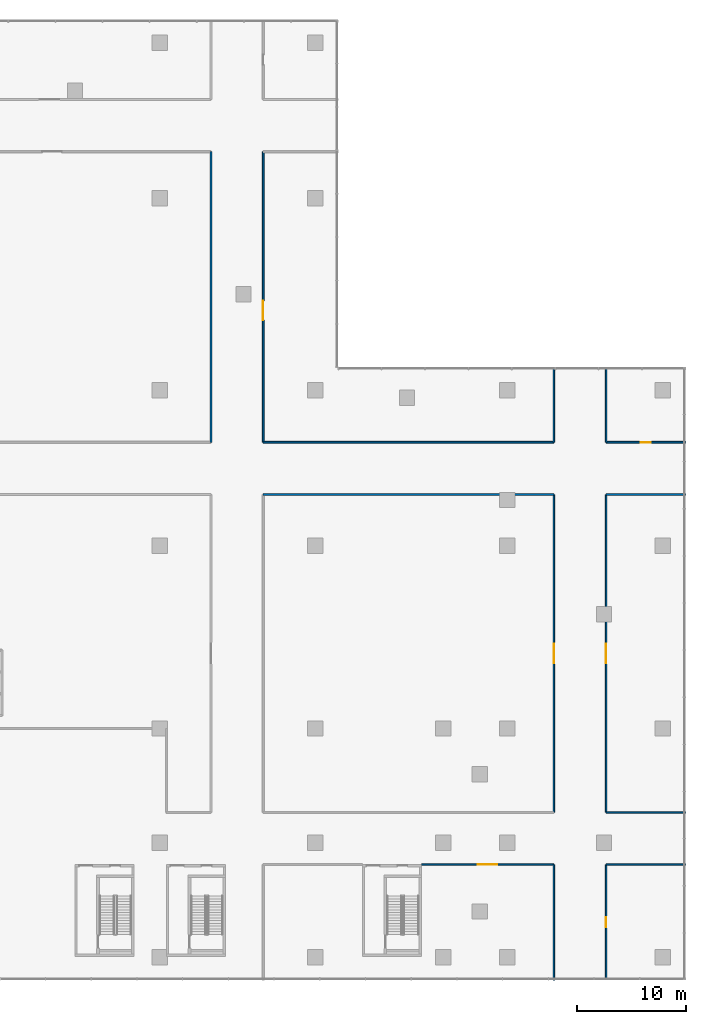
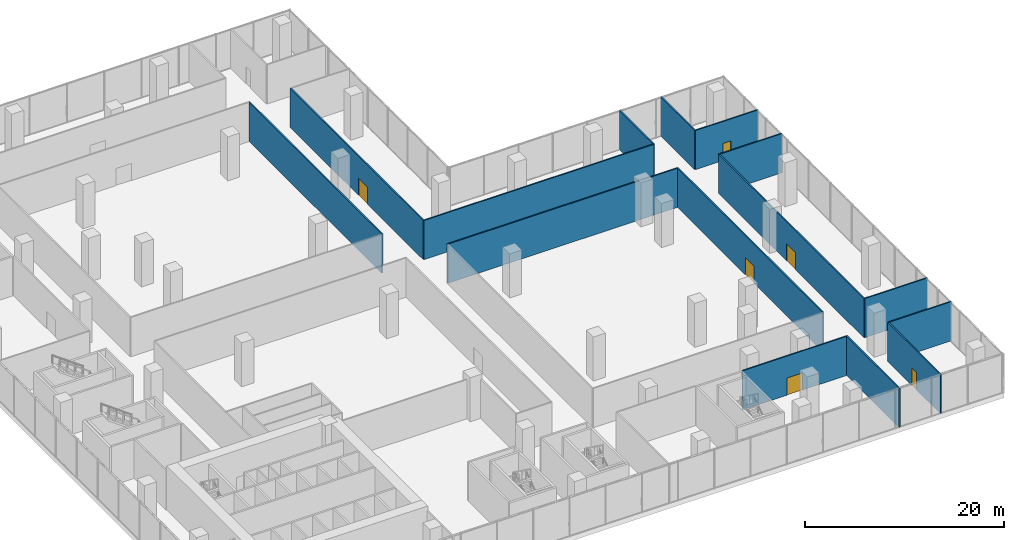
# One storey, part 16 of 22: 15 walls, 6 doors, 6 openings.
"""IFC4 building model written with IfcOpenShell, lengths in metres."""

from ifc_helpers import new_model, si_unit, direction, frame, frame_2d, origin, place, context, subcontext, project, spatial, rectangle, extrude, source, transform, mapped, material, layer, layer_set, type_object, element, fill, save


model = new_model("IFC4")

# Units and contexts
model_context = context("Model", 3, precision=1e-05, world=origin(), true_north=direction((0.0, 1.0)))
body_context = subcontext(model_context, "Body", "Model", "MODEL_VIEW")
ifc_project = project(units=[si_unit("LENGTHUNIT", "METRE"), si_unit("AREAUNIT", "SQUARE_METRE"), si_unit("VOLUMEUNIT", "CUBIC_METRE"), si_unit("PLANEANGLEUNIT", "RADIAN"), si_unit("MASSUNIT", "GRAM", prefix="KILO")], contexts=[model_context])

# Site, building, storey
site_placement = place(None, origin())
site = spatial("IfcSite", under=ifc_project, at=site_placement, CompositionType="ELEMENT")
building_placement = place(site_placement, origin())
building = spatial("IfcBuilding", under=site, at=building_placement, Name="Aurelian Terraces", CompositionType="ELEMENT")
storey_placement = place(building_placement, frame((0.0, 0.0, 7.5)))
storey = spatial("IfcBuildingStorey", under=building, at=storey_placement, Name="L01", CompositionType="ELEMENT", Elevation=7.5)

# Wall, opening, door
ifc_material_1 = material(Name="Gypsum board on steel studs", Category="steel")
ifc_layer = layer(ifc_material_1, 0.15)
ifc_layer_set = layer_set([ifc_layer], Name="Special partition 150")
wall_type = type_object("IfcWallType", Name="Special partition 150", PredefinedType="PARTITIONING", material=ifc_layer_set)
wall_1_placement = place(storey_placement, frame((61.85, 8.5, 0.0), z_axis=(0.0, 0.0, 1.0), x_axis=(1.0, 0.0, 0.0)))
wall_1 = element("IfcWall", 1, at=wall_1_placement, inside=storey, type_object=wall_type, Name="L01 partition W03", PredefinedType="PARTITIONING", context=body_context, shape_type="SweptSolid", body=[
    extrude(rectangle(XDim=12.15, YDim=0.15, at=frame_2d((6.075, 0.0))), origin(), (0.0, 0.0, 1.0), 4.8),
])
shared_shape_1 = source(origin(), body_context, "Body", "SweptSolid", [
    extrude(rectangle(XDim=1.8, YDim=2.1, at=frame_2d((0.9, 1.05))), frame((0.0, 0.085, 0.0), z_axis=(0.0, -1.0, 0.0), x_axis=(1.0, 0.0, 0.0)), (0.0, 0.0, 1.0), 0.17),
])
opening_1_placement = place(wall_1_placement, frame((5.175, 0.0, 0.0)))
opening_1 = element("IfcOpeningElement", 2, at=opening_1_placement, cuts=wall_1, Name="Opening 70402", PredefinedType="OPENING", context=body_context, shape_type="MappedRepresentation", body=[
    mapped(shared_shape_1, transform((0.0, 0.0, 0.0), scale=1.0)),
])
ifc_material_2 = material(Name="Timber door leaf", Category="wood")
door_type_1 = type_object("IfcDoorType", Name="Special double door 1800x2100", OperationType="DOUBLE_DOOR_SINGLE_SWING", PredefinedType="DOOR", material=ifc_material_2)
shared_shape_2 = source(origin(), body_context, "Body", "SweptSolid", [
    extrude(rectangle(XDim=1.8, YDim=2.1, at=frame_2d((0.9, 1.05))), frame((0.0, 0.025, 0.0), z_axis=(0.0, -1.0, 0.0), x_axis=(1.0, 0.0, 0.0)), (0.0, 0.0, 1.0), 0.05),
])
door_1_placement = place(opening_1_placement, origin())
door_1 = element("IfcDoor", 3, at=door_1_placement, inside=storey, type_object=door_type_1, Name="Door 70402", OperationType="DOUBLE_DOOR_SINGLE_SWING", OverallHeight=2.1, OverallWidth=1.8, PredefinedType="DOOR", context=body_context, shape_type="MappedRepresentation", body=[
    mapped(shared_shape_2, transform((0.0, 0.0, 0.0), scale=1.0)),
])
fill(opening_1, door_1)

# Walls
wall_2_placement = place(storey_placement, frame((78.8, 8.5, 0.0), z_axis=(0.0, 0.0, 1.0), x_axis=(1.0, 0.0, 0.0)))
element("IfcWall", 4, at=wall_2_placement, inside=storey, type_object=wall_type, Name="L01 partition W04", PredefinedType="PARTITIONING", context=body_context, shape_type="SweptSolid", body=[
    extrude(rectangle(XDim=7.3, YDim=0.15, at=frame_2d((3.65, 0.0))), origin(), (0.0, 0.0, 1.0), 4.8),
])
shared_shape_3 = source(origin(), body_context, "Body", "SweptSolid", [
    extrude(rectangle(XDim=7.3, YDim=0.15, at=frame_2d((3.65, 0.0))), origin(), (0.0, 0.0, 1.0), 4.8),
])
for number, where, z_axis, x_axis, name in (
    (5, (78.8, 13.3, 0.0), (0.0, 0.0, 1.0), (1.0, 0.0, 0.0), "L01 partition W07"),
    (6, (78.8, 42.5, 0.0), (0.0, 0.0, 1.0), (1.0, 0.0, 0.0), "L01 partition W15"),
):
    element("IfcWall", number, at=place(storey_placement, frame(where, z_axis=z_axis, x_axis=x_axis)), inside=storey, type_object=wall_type, Name=name, PredefinedType="PARTITIONING", context=body_context, shape_type="MappedRepresentation", body=[
        mapped(shared_shape_3, transform((0.0, 0.0, 0.0), scale=1.0)),
    ])

# Wall, opening, door
wall_3_placement = place(storey_placement, frame((78.8, 47.3, 0.0), z_axis=(0.0, 0.0, 1.0), x_axis=(1.0, 0.0, 0.0)))
wall_3 = element("IfcWall", 7, at=wall_3_placement, inside=storey, type_object=wall_type, Name="L01 partition W19", PredefinedType="PARTITIONING", context=body_context, shape_type="MappedRepresentation", body=[
    mapped(shared_shape_3, transform((0.0, 0.0, 0.0), scale=1.0)),
])
shared_shape_4 = source(origin(), body_context, "Body", "SweptSolid", [
    extrude(rectangle(XDim=0.9, YDim=2.1, at=frame_2d((0.45, 1.05))), frame((0.0, 0.085, 0.0), z_axis=(0.0, -1.0, 0.0), x_axis=(1.0, 0.0, 0.0)), (0.0, 0.0, 1.0), 0.17),
])
opening_2_placement = place(wall_3_placement, frame((3.2, 0.0, 0.0)))
opening_2 = element("IfcOpeningElement", 8, at=opening_2_placement, cuts=wall_3, Name="Opening 70403", PredefinedType="OPENING", context=body_context, shape_type="MappedRepresentation", body=[
    mapped(shared_shape_4, transform((0.0, 0.0, 0.0), scale=1.0)),
])
door_type_2 = type_object("IfcDoorType", Name="Special door 900x2100", OperationType="SINGLE_SWING_LEFT", PredefinedType="DOOR", material=ifc_material_2)
shared_shape_5 = source(origin(), body_context, "Body", "SweptSolid", [
    extrude(rectangle(XDim=0.9, YDim=2.1, at=frame_2d((0.45, 1.05))), frame((0.0, 0.025, 0.0), z_axis=(0.0, -1.0, 0.0), x_axis=(1.0, 0.0, 0.0)), (0.0, 0.0, 1.0), 0.05),
])
door_2_placement = place(opening_2_placement, origin())
door_2 = element("IfcDoor", 9, at=door_2_placement, inside=storey, type_object=door_type_2, Name="Door 70403", OperationType="SINGLE_SWING_LEFT", OverallHeight=2.1, OverallWidth=0.9, PredefinedType="DOOR", context=body_context, shape_type="MappedRepresentation", body=[
    mapped(shared_shape_5, transform((0.0, 0.0, 0.0), scale=1.0)),
])
fill(opening_2, door_2)

# Walls
shared_shape_6 = source(origin(), body_context, "Body", "SweptSolid", [
    extrude(rectangle(XDim=26.7, YDim=0.15, at=frame_2d((13.35, 0.0))), origin(), (0.0, 0.0, 1.0), 4.8),
])
for number, where, z_axis, x_axis, name in (
    (10, (47.3, 42.5, 0.0), (0.0, 0.0, 1.0), (1.0, 0.0, 0.0), "L01 partition W14"),
    (11, (47.3, 47.3, 0.0), (0.0, 0.0, 1.0), (1.0, 0.0, 0.0), "L01 partition W18"),
    (12, (42.5, 47.3, 0.0), (0.0, 0.0, 1.0), (0.0, 1.0, 0.0), "L01 partition W39"),
):
    element("IfcWall", number, at=place(storey_placement, frame(where, z_axis=z_axis, x_axis=x_axis)), inside=storey, type_object=wall_type, Name=name, PredefinedType="PARTITIONING", context=body_context, shape_type="MappedRepresentation", body=[
        mapped(shared_shape_6, transform((0.0, 0.0, 0.0), scale=1.0)),
    ])

# Wall, opening, door
wall_4_placement = place(storey_placement, frame((47.3, 47.3, 0.0), z_axis=(0.0, 0.0, 1.0), x_axis=(0.0, 1.0, 0.0)))
wall_4 = element("IfcWall", 13, at=wall_4_placement, inside=storey, type_object=wall_type, Name="L01 partition W43", PredefinedType="PARTITIONING", context=body_context, shape_type="MappedRepresentation", body=[
    mapped(shared_shape_6, transform((0.0, 0.0, 0.0), scale=1.0)),
])
opening_3_placement = place(wall_4_placement, frame((11.2, 0.0, 0.0)))
opening_3 = element("IfcOpeningElement", 14, at=opening_3_placement, cuts=wall_4, Name="Opening 70414", PredefinedType="OPENING", context=body_context, shape_type="MappedRepresentation", body=[
    mapped(shared_shape_1, transform((0.0, 0.0, 0.0), scale=1.0)),
])
door_3_placement = place(opening_3_placement, origin())
door_3 = element("IfcDoor", 15, at=door_3_placement, inside=storey, type_object=door_type_1, Name="Door 70414", OperationType="DOUBLE_DOOR_SINGLE_SWING", OverallHeight=2.1, OverallWidth=1.8, PredefinedType="DOOR", context=body_context, shape_type="MappedRepresentation", body=[
    mapped(shared_shape_2, transform((0.0, 0.0, 0.0), scale=1.0)),
])
fill(opening_3, door_3)

shared_shape_7 = source(origin(), body_context, "Body", "SweptSolid", [
    extrude(rectangle(XDim=29.2, YDim=0.15, at=frame_2d((14.6, 0.0))), origin(), (0.0, 0.0, 1.0), 4.8),
])
wall_5_placement = place(storey_placement, frame((74.0, 13.3, 0.0), z_axis=(0.0, 0.0, 1.0), x_axis=(0.0, 1.0, 0.0)))
wall_5 = element("IfcWall", 16, at=wall_5_placement, inside=storey, type_object=wall_type, Name="L01 partition W46", PredefinedType="PARTITIONING", context=body_context, shape_type="MappedRepresentation", body=[
    mapped(shared_shape_7, transform((0.0, 0.0, 0.0), scale=1.0)),
])
opening_4_placement = place(wall_5_placement, frame((13.7, 0.0, 0.0)))
opening_4 = element("IfcOpeningElement", 17, at=opening_4_placement, cuts=wall_5, Name="Opening 70416", PredefinedType="OPENING", context=body_context, shape_type="MappedRepresentation", body=[
    mapped(shared_shape_1, transform((0.0, 0.0, 0.0), scale=1.0)),
])
door_4_placement = place(opening_4_placement, origin())
door_4 = element("IfcDoor", 18, at=door_4_placement, inside=storey, type_object=door_type_1, Name="Door 70416", OperationType="DOUBLE_DOOR_SINGLE_SWING", OverallHeight=2.1, OverallWidth=1.8, PredefinedType="DOOR", context=body_context, shape_type="MappedRepresentation", body=[
    mapped(shared_shape_2, transform((0.0, 0.0, 0.0), scale=1.0)),
])
fill(opening_4, door_4)

wall_6_placement = place(storey_placement, frame((78.8, 13.3, 0.0), z_axis=(0.0, 0.0, 1.0), x_axis=(0.0, 1.0, 0.0)))
wall_6 = element("IfcWall", 19, at=wall_6_placement, inside=storey, type_object=wall_type, Name="L01 partition W49", PredefinedType="PARTITIONING", context=body_context, shape_type="MappedRepresentation", body=[
    mapped(shared_shape_7, transform((0.0, 0.0, 0.0), scale=1.0)),
])
opening_5_placement = place(wall_6_placement, frame((13.7, 0.0, 0.0)))
opening_5 = element("IfcOpeningElement", 20, at=opening_5_placement, cuts=wall_6, Name="Opening 70418", PredefinedType="OPENING", context=body_context, shape_type="MappedRepresentation", body=[
    mapped(shared_shape_1, transform((0.0, 0.0, 0.0), scale=1.0)),
])
door_5_placement = place(opening_5_placement, origin())
door_5 = element("IfcDoor", 21, at=door_5_placement, inside=storey, type_object=door_type_1, Name="Door 70418", OperationType="DOUBLE_DOOR_SINGLE_SWING", OverallHeight=2.1, OverallWidth=1.8, PredefinedType="DOOR", context=body_context, shape_type="MappedRepresentation", body=[
    mapped(shared_shape_2, transform((0.0, 0.0, 0.0), scale=1.0)),
])
fill(opening_5, door_5)

# Wall
shared_shape_8 = source(origin(), body_context, "Body", "SweptSolid", [
    extrude(rectangle(XDim=10.6, YDim=0.15, at=frame_2d((5.3, 0.0))), origin(), (0.0, 0.0, 1.0), 4.8),
])
wall_7_placement = place(storey_placement, frame((74.0, -2.1, 0.0), z_axis=(0.0, 0.0, 1.0), x_axis=(0.0, 1.0, 0.0)))
element("IfcWall", 22, at=wall_7_placement, inside=storey, type_object=wall_type, Name="L01 partition W45", PredefinedType="PARTITIONING", context=body_context, shape_type="MappedRepresentation", body=[
    mapped(shared_shape_8, transform((0.0, 0.0, 0.0), scale=1.0)),
])

# Wall, opening, door
wall_8_placement = place(storey_placement, frame((78.8, -2.1, 0.0), z_axis=(0.0, 0.0, 1.0), x_axis=(0.0, 1.0, 0.0)))
wall_8 = element("IfcWall", 23, at=wall_8_placement, inside=storey, type_object=wall_type, Name="L01 partition W48", PredefinedType="PARTITIONING", context=body_context, shape_type="MappedRepresentation", body=[
    mapped(shared_shape_8, transform((0.0, 0.0, 0.0), scale=1.0)),
])
opening_6_placement = place(wall_8_placement, frame((4.85, 0.0, 0.0)))
opening_6 = element("IfcOpeningElement", 24, at=opening_6_placement, cuts=wall_8, Name="Opening 70417", PredefinedType="OPENING", context=body_context, shape_type="MappedRepresentation", body=[
    mapped(shared_shape_4, transform((0.0, 0.0, 0.0), scale=1.0)),
])
door_6_placement = place(opening_6_placement, origin())
door_6 = element("IfcDoor", 25, at=door_6_placement, inside=storey, type_object=door_type_2, Name="Door 70417", OperationType="SINGLE_SWING_LEFT", OverallHeight=2.1, OverallWidth=0.9, PredefinedType="DOOR", context=body_context, shape_type="MappedRepresentation", body=[
    mapped(shared_shape_5, transform((0.0, 0.0, 0.0), scale=1.0)),
])
fill(opening_6, door_6)

# Walls
shared_shape_9 = source(origin(), body_context, "Body", "SweptSolid", [
    extrude(rectangle(XDim=6.88, YDim=0.15, at=frame_2d((3.44, 0.0))), origin(), (0.0, 0.0, 1.0), 4.8),
])
for number, where, z_axis, x_axis, name in (
    (26, (74.0, 47.3, 0.0), (0.0, 0.0, 1.0), (0.0, 1.0, 0.0), "L01 partition W47"),
    (27, (78.8, 47.3, 0.0), (0.0, 0.0, 1.0), (0.0, 1.0, 0.0), "L01 partition W50"),
):
    element("IfcWall", number, at=place(storey_placement, frame(where, z_axis=z_axis, x_axis=x_axis)), inside=storey, type_object=wall_type, Name=name, PredefinedType="PARTITIONING", context=body_context, shape_type="MappedRepresentation", body=[
        mapped(shared_shape_9, transform((0.0, 0.0, 0.0), scale=1.0)),
    ])

save(model, "model.ifc")
